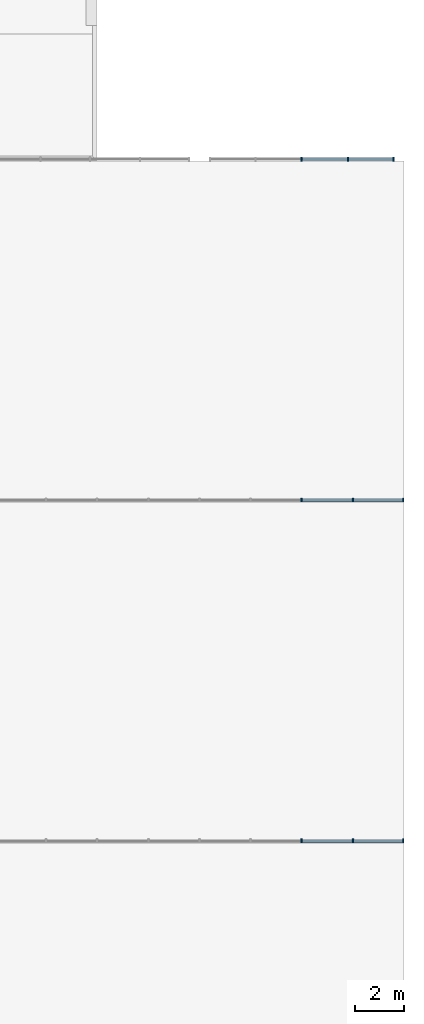
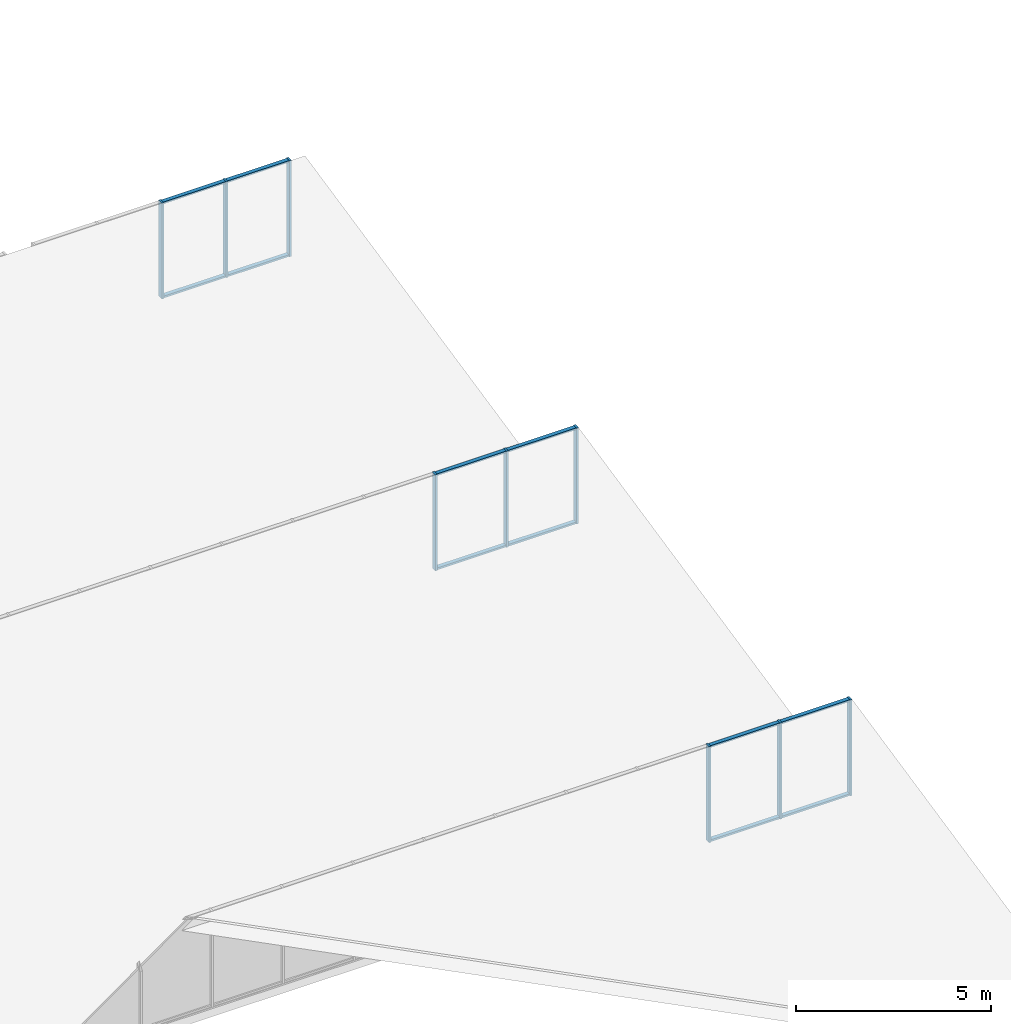
# One storey, part 39 of 137: 21 members, 3 elements without a shape of their own.
"""IFC4 building model written with IfcOpenShell, lengths in metres."""

from ifc_helpers import new_model, si_unit, direction, frame, origin, origin_2d, place, context, subcontext, project, spatial, rectangle, extrude, material, material_profile, profile_set, type_object, element, aggregate, save


model = new_model("IFC4")

# Units and contexts
model_context = context("Model", 3, precision=1e-05, world=origin(), true_north=direction((0.0, 1.0)))
body_context = subcontext(model_context, "Body", "Model", "MODEL_VIEW")
ifc_project = project(units=[si_unit("LENGTHUNIT", "METRE"), si_unit("AREAUNIT", "SQUARE_METRE"), si_unit("VOLUMEUNIT", "CUBIC_METRE"), si_unit("PLANEANGLEUNIT", "RADIAN"), si_unit("MASSUNIT", "GRAM", prefix="KILO")], contexts=[model_context])

# Site, building, storey
site_placement = place(None, origin())
site = spatial("IfcSite", under=ifc_project, at=site_placement, CompositionType="ELEMENT")
building_placement = place(site_placement, origin())
building = spatial("IfcBuilding", under=site, at=building_placement, Name="Bougainvillea Quay General Hospital", CompositionType="ELEMENT")
storey_placement = place(building_placement, frame((0.0, 0.0, 16.800048828125)))
storey = spatial("IfcBuildingStorey", under=building, at=storey_placement, Name="L03", CompositionType="ELEMENT", Elevation=16.800048828125)

# Curtain wall, members
ifc_material_1 = material(Name="Aluminium curtain wall system, powder-coated glazed", Category="aluminium")
curtain_wall_type = type_object("IfcCurtainWallType", Name="Unitised curtain wall CW-2100", PredefinedType="NOTDEFINED", material=ifc_material_1)
curtain_wall_1_placement = place(storey_placement, origin())
curtain_wall_1 = element("IfcCurtainWall", 1, at=curtain_wall_1_placement, inside=storey, type_object=curtain_wall_type, Name="ST-G1 GL0", PredefinedType="NOTDEFINED")
ifc_material_2 = material(Name="Aluminium mullion, powder-coated charcoal", Category="aluminium")
ifc_material_profile_1 = material_profile(ifc_material_2, rectangle(XDim=0.159912109375, YDim=0.06005859375, at=origin_2d()))
ifc_profile_set_1 = profile_set([ifc_material_profile_1], Name="Aluminium mullion, powder-coated charcoal")
member_type_1 = type_object("IfcMemberType", Name="Curtain wall mullion 160x60", PredefinedType="MULLION", material=ifc_profile_set_1)
member_1_placement = place(storey_placement, frame((201.60009765625, 89.679931640625, 0.0), z_axis=(0.0, 0.0, 1.0), x_axis=(0.0, 1.0, 0.0)))
member_1 = element("IfcMember", 2, at=member_1_placement, type_object=member_type_1, Name="ST-G1 mullion 19", PredefinedType="MULLION", context=body_context, shape_type="SweptSolid", body=[
    extrude(rectangle(XDim=0.159912109375, YDim=0.06005859375, at=origin_2d()), origin(), (0.0, 0.0, 1.0), 3.0),
])
member_2_placement = place(storey_placement, frame((203.699951171875, 89.679931640625, 0.0), z_axis=(0.0, 0.0, 1.0), x_axis=(0.0, 1.0, 0.0)))
member_2 = element("IfcMember", 3, at=member_2_placement, type_object=member_type_1, Name="ST-G1 mullion 20", PredefinedType="MULLION", context=body_context, shape_type="SweptSolid", body=[
    extrude(rectangle(XDim=0.159912109375, YDim=0.06005859375, at=origin_2d()), origin(), (0.0, 0.0, 1.0), 3.0),
])
member_3_placement = place(storey_placement, frame((205.77001953125, 89.679931640625, 0.0), z_axis=(0.0, 0.0, 1.0), x_axis=(0.0, 1.0, 0.0)))
member_3 = element("IfcMember", 4, at=member_3_placement, type_object=member_type_1, Name="ST-G1 mullion 21", PredefinedType="MULLION", context=body_context, shape_type="SweptSolid", body=[
    extrude(rectangle(XDim=0.159912109375, YDim=0.06005859375, at=origin_2d()), origin(), (0.0, 0.0, 1.0), 3.0),
])

curtain_wall_2_placement = place(storey_placement, origin())
curtain_wall_2 = element("IfcCurtainWall", 5, at=curtain_wall_2_placement, inside=storey, type_object=curtain_wall_type, Name="ST-G2 GL1", PredefinedType="NOTDEFINED")
member_4_placement = place(storey_placement, frame((201.60009765625, 103.679931640625, 0.0), z_axis=(0.0, 0.0, 1.0), x_axis=(0.0, 1.0, 0.0)))
member_4 = element("IfcMember", 6, at=member_4_placement, type_object=member_type_1, Name="ST-G2 mullion 19", PredefinedType="MULLION", context=body_context, shape_type="SweptSolid", body=[
    extrude(rectangle(XDim=0.159912109375, YDim=0.06005859375, at=origin_2d()), origin(), (0.0, 0.0, 1.0), 3.0),
])
member_5_placement = place(storey_placement, frame((203.699951171875, 103.679931640625, 0.0), z_axis=(0.0, 0.0, 1.0), x_axis=(0.0, 1.0, 0.0)))
member_5 = element("IfcMember", 7, at=member_5_placement, type_object=member_type_1, Name="ST-G2 mullion 20", PredefinedType="MULLION", context=body_context, shape_type="SweptSolid", body=[
    extrude(rectangle(XDim=0.159912109375, YDim=0.06005859375, at=origin_2d()), origin(), (0.0, 0.0, 1.0), 3.0),
])
member_6_placement = place(storey_placement, frame((205.77001953125, 103.679931640625, 0.0), z_axis=(0.0, 0.0, 1.0), x_axis=(0.0, 1.0, 0.0)))
member_6 = element("IfcMember", 8, at=member_6_placement, type_object=member_type_1, Name="ST-G2 mullion 21", PredefinedType="MULLION", context=body_context, shape_type="SweptSolid", body=[
    extrude(rectangle(XDim=0.159912109375, YDim=0.06005859375, at=origin_2d()), origin(), (0.0, 0.0, 1.0), 3.0),
])

curtain_wall_3_placement = place(storey_placement, origin())
curtain_wall_3 = element("IfcCurtainWall", 9, at=curtain_wall_3_placement, inside=storey, type_object=curtain_wall_type, Name="ST-G3 GL2_2", PredefinedType="NOTDEFINED")
member_7_placement = place(storey_placement, frame((201.60009765625, 117.679931640625, 0.0), z_axis=(0.0, 0.0, 1.0), x_axis=(0.0, 1.0, 0.0)))
member_7 = element("IfcMember", 10, at=member_7_placement, type_object=member_type_1, Name="ST-G3 mullion 3", PredefinedType="MULLION", context=body_context, shape_type="SweptSolid", body=[
    extrude(rectangle(XDim=0.159912109375, YDim=0.06005859375, at=origin_2d()), origin(), (0.0, 0.0, 1.0), 3.0),
])
member_8_placement = place(storey_placement, frame((203.5, 117.679931640625, 0.0), z_axis=(0.0, 0.0, 1.0), x_axis=(0.0, 1.0, 0.0)))
member_8 = element("IfcMember", 11, at=member_8_placement, type_object=member_type_1, Name="ST-G3 mullion 4", PredefinedType="MULLION", context=body_context, shape_type="SweptSolid", body=[
    extrude(rectangle(XDim=0.159912109375, YDim=0.06005859375, at=origin_2d()), origin(), (0.0, 0.0, 1.0), 3.0),
])
member_9_placement = place(storey_placement, frame((205.3701171875, 117.679931640625, 0.0), z_axis=(0.0, 0.0, 1.0), x_axis=(0.0, 1.0, 0.0)))
member_9 = element("IfcMember", 12, at=member_9_placement, type_object=member_type_1, Name="ST-G3 mullion 5", PredefinedType="MULLION", context=body_context, shape_type="SweptSolid", body=[
    extrude(rectangle(XDim=0.159912109375, YDim=0.06005859375, at=origin_2d()), origin(), (0.0, 0.0, 1.0), 3.0),
])

# Member
ifc_material_3 = material(Name="Aluminium transom, powder-coated charcoal", Category="aluminium")
ifc_material_profile_2 = material_profile(ifc_material_3, rectangle(XDim=0.1201171875, YDim=0.06005859375, at=origin_2d()))
ifc_profile_set_2 = profile_set([ifc_material_profile_2], Name="Aluminium transom, powder-coated charcoal")
member_type_2 = type_object("IfcMemberType", Name="Curtain wall transom 120x60", PredefinedType="USERDEFINED", material=ifc_profile_set_2)
member_10_placement = place(storey_placement, frame((201.6298828125, 89.679931640625, 0.030029296875), z_axis=(1.0, 0.0, 0.0), x_axis=(0.0, 1.0, 0.0)))
member_10 = element("IfcMember", 13, at=member_10_placement, type_object=member_type_2, Name="ST-G1 transom 19.1", ObjectType="TRANSOM", PredefinedType="USERDEFINED", context=body_context, shape_type="SweptSolid", body=[
    extrude(rectangle(XDim=0.1201171875, YDim=0.06005859375, at=origin_2d()), origin(), (0.0, 0.0, 1.0), 2.0400390625),
])

member_11_placement = place(storey_placement, frame((201.6298828125, 89.679931640625, 2.969970703125), z_axis=(1.0, 0.0, 0.0), x_axis=(0.0, 1.0, 0.0)))
member_11 = element("IfcMember", 14, at=member_11_placement, type_object=member_type_2, Name="ST-G1 transom 19.2", ObjectType="TRANSOM", PredefinedType="USERDEFINED", context=body_context, shape_type="SweptSolid", body=[
    extrude(rectangle(XDim=0.1201171875, YDim=0.06005859375, at=origin_2d()), origin(), (0.0, 0.0, 1.0), 2.0400390625),
])

member_12_placement = place(storey_placement, frame((203.72998046875, 89.679931640625, 0.030029296875), z_axis=(1.0, 0.0, 0.0), x_axis=(0.0, 1.0, 0.0)))
member_12 = element("IfcMember", 15, at=member_12_placement, type_object=member_type_2, Name="ST-G1 transom 20.1", ObjectType="TRANSOM", PredefinedType="USERDEFINED", context=body_context, shape_type="SweptSolid", body=[
    extrude(rectangle(XDim=0.1201171875, YDim=0.06005859375, at=origin_2d()), origin(), (0.0, 0.0, 1.0), 2.010009765625),
])

member_13_placement = place(storey_placement, frame((203.72998046875, 89.679931640625, 2.969970703125), z_axis=(1.0, 0.0, 0.0), x_axis=(0.0, 1.0, 0.0)))
member_13 = element("IfcMember", 16, at=member_13_placement, type_object=member_type_2, Name="ST-G1 transom 20.2", ObjectType="TRANSOM", PredefinedType="USERDEFINED", context=body_context, shape_type="SweptSolid", body=[
    extrude(rectangle(XDim=0.1201171875, YDim=0.06005859375, at=origin_2d()), origin(), (0.0, 0.0, 1.0), 2.010009765625),
])

aggregate(curtain_wall_1, [member_1, member_2, member_3, member_10, member_11, member_12, member_13])

member_14_placement = place(storey_placement, frame((201.6298828125, 103.679931640625, 0.030029296875), z_axis=(1.0, 0.0, 0.0), x_axis=(0.0, 1.0, 0.0)))
member_14 = element("IfcMember", 17, at=member_14_placement, type_object=member_type_2, Name="ST-G2 transom 19.1", ObjectType="TRANSOM", PredefinedType="USERDEFINED", context=body_context, shape_type="SweptSolid", body=[
    extrude(rectangle(XDim=0.1201171875, YDim=0.06005859375, at=origin_2d()), origin(), (0.0, 0.0, 1.0), 2.0400390625),
])

member_15_placement = place(storey_placement, frame((201.6298828125, 103.679931640625, 2.969970703125), z_axis=(1.0, 0.0, 0.0), x_axis=(0.0, 1.0, 0.0)))
member_15 = element("IfcMember", 18, at=member_15_placement, type_object=member_type_2, Name="ST-G2 transom 19.2", ObjectType="TRANSOM", PredefinedType="USERDEFINED", context=body_context, shape_type="SweptSolid", body=[
    extrude(rectangle(XDim=0.1201171875, YDim=0.06005859375, at=origin_2d()), origin(), (0.0, 0.0, 1.0), 2.0400390625),
])

member_16_placement = place(storey_placement, frame((203.72998046875, 103.679931640625, 0.030029296875), z_axis=(1.0, 0.0, 0.0), x_axis=(0.0, 1.0, 0.0)))
member_16 = element("IfcMember", 19, at=member_16_placement, type_object=member_type_2, Name="ST-G2 transom 20.1", ObjectType="TRANSOM", PredefinedType="USERDEFINED", context=body_context, shape_type="SweptSolid", body=[
    extrude(rectangle(XDim=0.1201171875, YDim=0.06005859375, at=origin_2d()), origin(), (0.0, 0.0, 1.0), 2.010009765625),
])

member_17_placement = place(storey_placement, frame((203.72998046875, 103.679931640625, 2.969970703125), z_axis=(1.0, 0.0, 0.0), x_axis=(0.0, 1.0, 0.0)))
member_17 = element("IfcMember", 20, at=member_17_placement, type_object=member_type_2, Name="ST-G2 transom 20.2", ObjectType="TRANSOM", PredefinedType="USERDEFINED", context=body_context, shape_type="SweptSolid", body=[
    extrude(rectangle(XDim=0.1201171875, YDim=0.06005859375, at=origin_2d()), origin(), (0.0, 0.0, 1.0), 2.010009765625),
])

aggregate(curtain_wall_2, [member_4, member_5, member_6, member_14, member_15, member_16, member_17])

member_18_placement = place(storey_placement, frame((201.6298828125, 117.679931640625, 0.030029296875), z_axis=(1.0, 0.0, 0.0), x_axis=(0.0, 1.0, 0.0)))
member_18 = element("IfcMember", 21, at=member_18_placement, type_object=member_type_2, Name="ST-G3 transom 3.1", ObjectType="TRANSOM", PredefinedType="USERDEFINED", context=body_context, shape_type="SweptSolid", body=[
    extrude(rectangle(XDim=0.1201171875, YDim=0.06005859375, at=origin_2d()), origin(), (0.0, 0.0, 1.0), 1.840087890625),
])

member_19_placement = place(storey_placement, frame((201.6298828125, 117.679931640625, 2.969970703125), z_axis=(1.0, 0.0, 0.0), x_axis=(0.0, 1.0, 0.0)))
member_19 = element("IfcMember", 22, at=member_19_placement, type_object=member_type_2, Name="ST-G3 transom 3.2", ObjectType="TRANSOM", PredefinedType="USERDEFINED", context=body_context, shape_type="SweptSolid", body=[
    extrude(rectangle(XDim=0.1201171875, YDim=0.06005859375, at=origin_2d()), origin(), (0.0, 0.0, 1.0), 1.840087890625),
])

member_20_placement = place(storey_placement, frame((203.530029296875, 117.679931640625, 0.030029296875), z_axis=(1.0, 0.0, 0.0), x_axis=(0.0, 1.0, 0.0)))
member_20 = element("IfcMember", 23, at=member_20_placement, type_object=member_type_2, Name="ST-G3 transom 4.1", ObjectType="TRANSOM", PredefinedType="USERDEFINED", context=body_context, shape_type="SweptSolid", body=[
    extrude(rectangle(XDim=0.1201171875, YDim=0.06005859375, at=origin_2d()), origin(), (0.0, 0.0, 1.0), 1.81005859375),
])

member_21_placement = place(storey_placement, frame((203.530029296875, 117.679931640625, 2.969970703125), z_axis=(1.0, 0.0, 0.0), x_axis=(0.0, 1.0, 0.0)))
member_21 = element("IfcMember", 24, at=member_21_placement, type_object=member_type_2, Name="ST-G3 transom 4.2", ObjectType="TRANSOM", PredefinedType="USERDEFINED", context=body_context, shape_type="SweptSolid", body=[
    extrude(rectangle(XDim=0.1201171875, YDim=0.06005859375, at=origin_2d()), origin(), (0.0, 0.0, 1.0), 1.81005859375),
])

aggregate(curtain_wall_3, [member_7, member_8, member_9, member_18, member_19, member_20, member_21])

save(model, "model.ifc")
